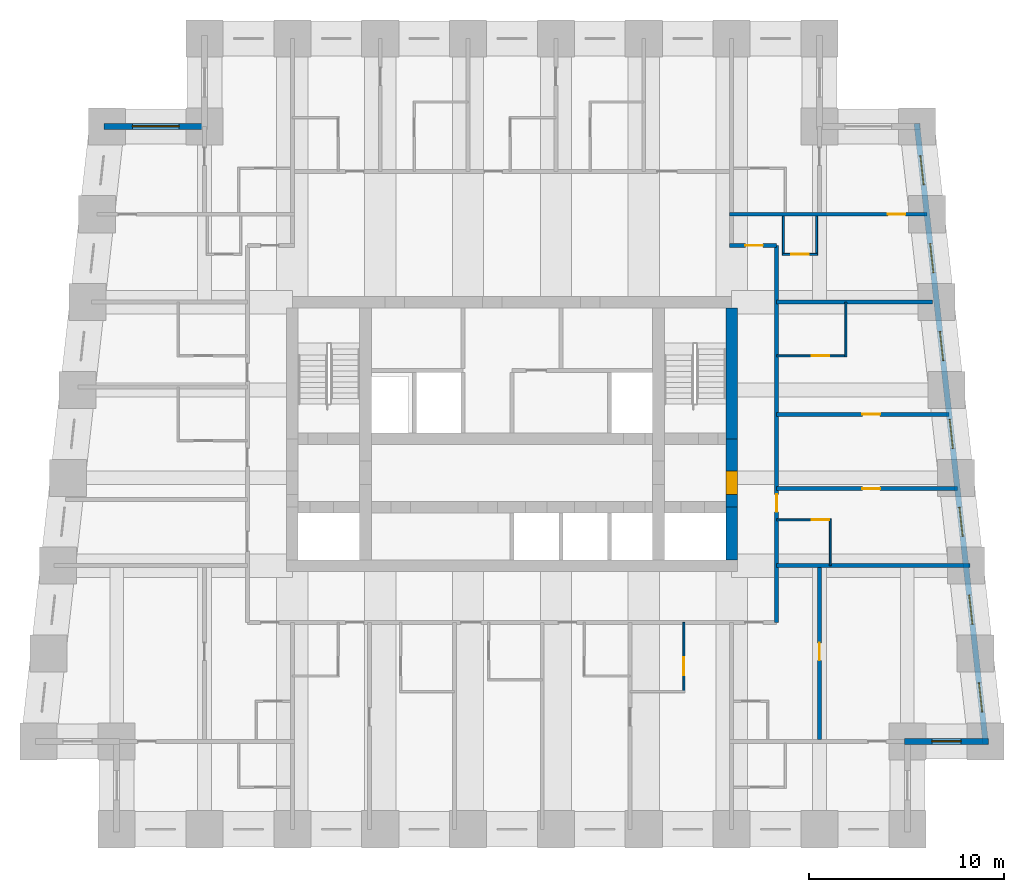
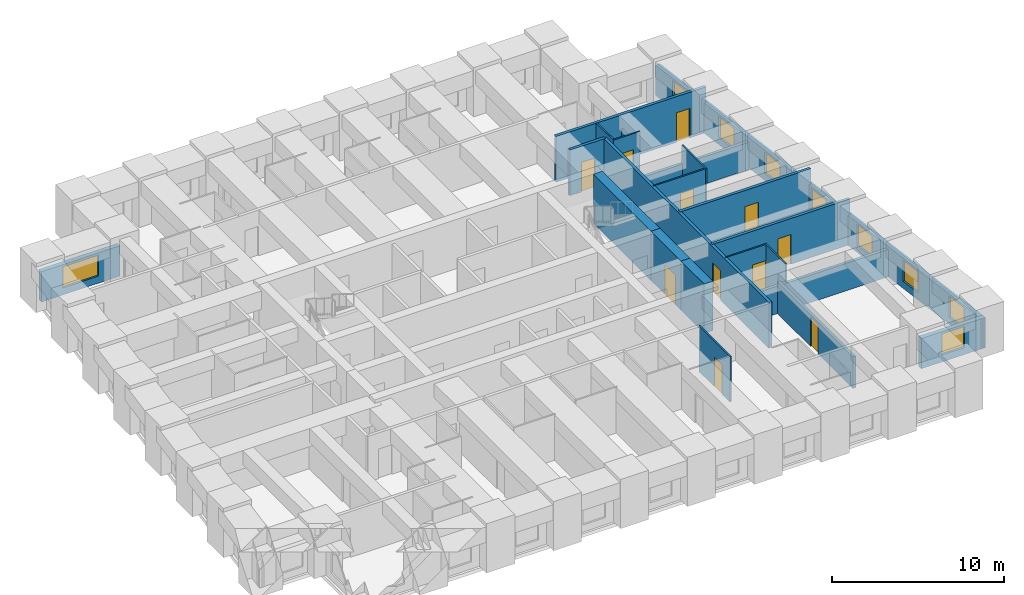
# One storey, part 5 of 8: 22 walls, 11 doors, 9 windows, 20 openings.
"""IFC4 building model written with IfcOpenShell, lengths in metres."""

from ifc_helpers import new_model, si_unit, direction, frame, frame_2d, origin, place, context, subcontext, project, spatial, rectangle, extrude, material, layer, layer_set, type_object, element, fill, save


model = new_model("IFC4")

# Units and contexts
model_context = context("Model", 3, precision=1e-05, world=origin(), true_north=direction((0.0, 1.0)))
body_context = subcontext(model_context, "Body", "Model", "MODEL_VIEW")
ifc_project = project(units=[si_unit("LENGTHUNIT", "METRE"), si_unit("AREAUNIT", "SQUARE_METRE"), si_unit("VOLUMEUNIT", "CUBIC_METRE"), si_unit("PLANEANGLEUNIT", "RADIAN"), si_unit("MASSUNIT", "GRAM", prefix="KILO")], contexts=[model_context])

# Site, building, storey
site_placement = place(None, origin())
site = spatial("IfcSite", under=ifc_project, at=site_placement, CompositionType="ELEMENT")
building_placement = place(site_placement, origin())
building = spatial("IfcBuilding", under=site, at=building_placement, Name="Kilele Tower Hotel", CompositionType="ELEMENT")
storey_placement = place(building_placement, frame((0.0, 0.0, 131.89990234375)))
storey = spatial("IfcBuildingStorey", under=building, at=storey_placement, Name="L34", CompositionType="ELEMENT", Elevation=131.89990234375)

# Wall, opening, door
ifc_material_1 = material(Name="Moisture-resistant board")
ifc_layer_1 = layer(ifc_material_1, 0.10009765625)
ifc_layer_set_1 = layer_set([ifc_layer_1], Name="Moisture-resistant board")
wall_type_1 = type_object("IfcWallType", Name="Bathroom partition 100", PredefinedType="PLUMBINGWALL", material=ifc_layer_set_1)
wall_1_placement = place(storey_placement, frame((33.550048828125, 10.60009765625, 0.0), z_axis=(0.0, 0.0, 1.0), x_axis=(0.0, -1.0, 0.0)))
wall_1 = element("IfcWall", 1, at=wall_1_placement, inside=storey, type_object=wall_type_1, Name="Bathroom partition 100 L34", PredefinedType="PLUMBINGWALL", context=body_context, shape_type="SweptSolid", body=[
    extrude(rectangle(XDim=3.60009765625, YDim=0.10009765625, at=frame_2d((1.800048828125, 0.0))), origin(), (0.0, 0.0, 1.0), 3.25),
])
opening_1_placement = place(wall_1_placement, frame((1.800048828125, 0.0, 0.0)))
opening_1 = element("IfcOpeningElement", 2, at=opening_1_placement, cuts=wall_1, Name="Opening D2A", PredefinedType="OPENING", context=body_context, shape_type="SweptSolid", body=[
    extrude(rectangle(XDim=0.89990234375, YDim=2.10009765625, at=frame_2d((0.449951171875, 1.050048828125))), frame((0.0, 0.06005859375, 0.0), z_axis=(0.0, -1.0, 0.0), x_axis=(1.0, 0.0, 0.0)), (0.0, 0.0, 1.0), 0.1201171875),
])
ifc_material_2 = material(Name="Timber door leaf in hardwood frame", Category="wood")
door_type_1 = type_object("IfcDoorType", Name="Bathroom door 900", OperationType="SINGLE_SWING_LEFT", PredefinedType="DOOR", material=ifc_material_2)
door_1_placement = place(opening_1_placement, origin())
door_1 = element("IfcDoor", 3, at=door_1_placement, inside=storey, type_object=door_type_1, Name="Bathroom door 3405B", OperationType="SINGLE_SWING_RIGHT", OverallHeight=2.10009765625, OverallWidth=0.89990234375, PredefinedType="DOOR", context=body_context, shape_type="SweptSolid", body=[
    extrude(rectangle(XDim=0.89990234375, YDim=2.10009765625, at=frame_2d((0.449951171875, 1.050048828125))), frame((0.0, 0.02490234375, 0.0), z_axis=(0.0, -1.0, 0.0), x_axis=(1.0, 0.0, 0.0)), (0.0, 0.0, 1.0), 0.050048828125),
])
fill(opening_1, door_1)

# Wall
wall_2_placement = place(storey_placement, frame((41.050048828125, 13.5, 0.0), z_axis=(0.0, 0.0, 1.0), x_axis=(0.0, 1.0, 0.0)))
element("IfcWall", 4, at=wall_2_placement, inside=storey, type_object=wall_type_1, Name="Bathroom partition 100 L34", PredefinedType="PLUMBINGWALL", context=body_context, shape_type="SweptSolid", body=[
    extrude(rectangle(XDim=2.39990234375, YDim=0.10009765625, at=frame_2d((1.199951171875, 0.0))), origin(), (0.0, 0.0, 1.0), 3.25),
])

# Wall, opening, door
wall_3_placement = place(storey_placement, frame((38.300048828125, 15.85009765625, 0.0), z_axis=(0.0, 0.0, 1.0), x_axis=(1.0, 0.0, 0.0)))
wall_3 = element("IfcWall", 5, at=wall_3_placement, inside=storey, type_object=wall_type_1, Name="Bathroom partition 100 L34", PredefinedType="PLUMBINGWALL", context=body_context, shape_type="SweptSolid", body=[
    extrude(rectangle(XDim=2.800048828125, YDim=0.10009765625, at=frame_2d((1.39990234375, 0.0))), origin(), (0.0, 0.0, 1.0), 3.25),
])
opening_2_placement = place(wall_3_placement, frame((1.800048828125, 0.0, 0.0)))
opening_2 = element("IfcOpeningElement", 6, at=opening_2_placement, cuts=wall_3, Name="Opening D2A", PredefinedType="OPENING", context=body_context, shape_type="SweptSolid", body=[
    extrude(rectangle(XDim=0.89990234375, YDim=2.10009765625, at=frame_2d((0.449951171875, 1.050048828125))), frame((0.0, 0.06005859375, 0.0), z_axis=(0.0, -1.0, 0.0), x_axis=(1.0, 0.0, 0.0)), (0.0, 0.0, 1.0), 0.1201171875),
])
door_2_placement = place(opening_2_placement, origin())
door_2 = element("IfcDoor", 7, at=door_2_placement, inside=storey, type_object=door_type_1, Name="Bathroom door 3406B", OperationType="SINGLE_SWING_RIGHT", OverallHeight=2.10009765625, OverallWidth=0.89990234375, PredefinedType="DOOR", context=body_context, shape_type="SweptSolid", body=[
    extrude(rectangle(XDim=0.89990234375, YDim=2.10009765625, at=frame_2d((0.449951171875, 1.050048828125))), frame((0.0, 0.02490234375, 0.0), z_axis=(0.0, -1.0, 0.0), x_axis=(1.0, 0.0, 0.0)), (0.0, 0.0, 1.0), 0.050048828125),
])
fill(opening_2, door_2)

# Wall
wall_4_placement = place(storey_placement, frame((41.85009765625, 24.199951171875, 0.0), z_axis=(0.0, 0.0, 1.0), x_axis=(0.0, 1.0, 0.0)))
element("IfcWall", 8, at=wall_4_placement, inside=storey, type_object=wall_type_1, Name="Bathroom partition 100 L34", PredefinedType="PLUMBINGWALL", context=body_context, shape_type="SweptSolid", body=[
    extrude(rectangle(XDim=2.800048828125, YDim=0.10009765625, at=frame_2d((1.39990234375, 0.0))), origin(), (0.0, 0.0, 1.0), 3.25),
])

# Wall, opening, door
wall_5_placement = place(storey_placement, frame((38.300048828125, 24.25, 0.0), z_axis=(0.0, 0.0, 1.0), x_axis=(1.0, 0.0, 0.0)))
wall_5 = element("IfcWall", 9, at=wall_5_placement, inside=storey, type_object=wall_type_1, Name="Bathroom partition 100 L34", PredefinedType="PLUMBINGWALL", context=body_context, shape_type="SweptSolid", body=[
    extrude(rectangle(XDim=3.599853515625, YDim=0.10009765625, at=frame_2d((1.7998046875, 0.0))), origin(), (0.0, 0.0, 1.0), 3.25),
])
opening_3_placement = place(wall_5_placement, frame((2.699951171875, 0.0, 0.0), z_axis=(0.0, 0.0, 1.0), x_axis=(-1.0, 0.0, 0.0)))
opening_3 = element("IfcOpeningElement", 10, at=opening_3_placement, cuts=wall_5, Name="Opening D2A", PredefinedType="OPENING", context=body_context, shape_type="SweptSolid", body=[
    extrude(rectangle(XDim=0.89990234375, YDim=2.10009765625, at=frame_2d((0.449951171875, 1.050048828125))), frame((0.0, 0.06005859375, 0.0), z_axis=(0.0, -1.0, 0.0), x_axis=(1.0, 0.0, 0.0)), (0.0, 0.0, 1.0), 0.1201171875),
])
door_3_placement = place(opening_3_placement, origin())
door_3 = element("IfcDoor", 11, at=door_3_placement, inside=storey, type_object=door_type_1, Name="Bathroom door 3408B", OperationType="SINGLE_SWING_LEFT", OverallHeight=2.10009765625, OverallWidth=0.89990234375, PredefinedType="DOOR", context=body_context, shape_type="SweptSolid", body=[
    extrude(rectangle(XDim=0.89990234375, YDim=2.10009765625, at=frame_2d((0.449951171875, 1.050048828125))), frame((0.0, 0.02490234375, 0.0), z_axis=(0.0, -1.0, 0.0), x_axis=(1.0, 0.0, 0.0)), (0.0, 0.0, 1.0), 0.050048828125),
])
fill(opening_3, door_3)

# Walls
wall_6_placement = place(storey_placement, frame((40.35009765625, 31.39990234375, 0.0), z_axis=(0.0, 0.0, 1.0), x_axis=(0.0, -1.0, 0.0)))
element("IfcWall", 12, at=wall_6_placement, inside=storey, type_object=wall_type_1, Name="Bathroom partition 100 L34", PredefinedType="PLUMBINGWALL", context=body_context, shape_type="SweptSolid", body=[
    extrude(rectangle(XDim=2.0, YDim=0.10009765625, at=frame_2d((1.0, 0.0))), origin(), (0.0, 0.0, 1.0), 2.25),
])
wall_7_placement = place(storey_placement, frame((38.64990234375, 31.39990234375, 0.0), z_axis=(0.0, 0.0, 1.0), x_axis=(0.0, -1.0, 0.0)))
element("IfcWall", 13, at=wall_7_placement, inside=storey, type_object=wall_type_1, Name="Bathroom partition 100 L34", PredefinedType="PLUMBINGWALL", context=body_context, shape_type="SweptSolid", body=[
    extrude(rectangle(XDim=2.0, YDim=0.10009765625, at=frame_2d((1.0, 0.0))), origin(), (0.0, 0.0, 1.0), 3.25),
])

# Wall, opening, door
wall_8_placement = place(storey_placement, frame((38.60009765625, 29.449951171875, 0.0), z_axis=(0.0, 0.0, 1.0), x_axis=(1.0, 0.0, 0.0)))
wall_8 = element("IfcWall", 14, at=wall_8_placement, inside=storey, type_object=wall_type_1, Name="Bathroom partition 100 L34", PredefinedType="PLUMBINGWALL", context=body_context, shape_type="SweptSolid", body=[
    extrude(rectangle(XDim=1.7998046875, YDim=0.10009765625, at=frame_2d((0.89990234375, 0.0))), origin(), (0.0, 0.0, 1.0), 3.25),
])
opening_4_placement = place(wall_8_placement, frame((1.349853515625, 0.0, 0.0), z_axis=(0.0, 0.0, 1.0), x_axis=(-1.0, 0.0, 0.0)))
opening_4 = element("IfcOpeningElement", 15, at=opening_4_placement, cuts=wall_8, Name="Opening D2A", PredefinedType="OPENING", context=body_context, shape_type="SweptSolid", body=[
    extrude(rectangle(XDim=0.89990234375, YDim=2.10009765625, at=frame_2d((0.449951171875, 1.050048828125))), frame((0.0, 0.06005859375, 0.0), z_axis=(0.0, -1.0, 0.0), x_axis=(1.0, 0.0, 0.0)), (0.0, 0.0, 1.0), 0.1201171875),
])
door_4_placement = place(opening_4_placement, origin())
door_4 = element("IfcDoor", 16, at=door_4_placement, inside=storey, type_object=door_type_1, Name="Bathroom door 3423P", OperationType="SINGLE_SWING_RIGHT", OverallHeight=2.10009765625, OverallWidth=0.89990234375, PredefinedType="DOOR", context=body_context, shape_type="SweptSolid", body=[
    extrude(rectangle(XDim=0.89990234375, YDim=2.10009765625, at=frame_2d((0.449951171875, 1.050048828125))), frame((0.0, 0.02490234375, 0.0), z_axis=(0.0, -1.0, 0.0), x_axis=(1.0, 0.0, 0.0)), (0.0, 0.0, 1.0), 0.050048828125),
])
fill(opening_4, door_4)

# Wall
ifc_material_3 = material(Name="Concrete C60/75", Category="concrete")
ifc_layer_2 = layer(ifc_material_3, 0.60009765625)
ifc_layer_set_2 = layer_set([ifc_layer_2], Name="Concrete C60/75")
wall_type_2 = type_object("IfcWallType", Name="Core wall 600 C60/75", PredefinedType="SHEAR", material=ifc_layer_set_2)
wall_9_placement = place(storey_placement, frame((36.0, 13.800048828125, 0.0), z_axis=(0.0, 0.0, 1.0), x_axis=(0.0, 1.0, 0.0)))
element("IfcWall", 17, at=wall_9_placement, inside=storey, type_object=wall_type_2, Name="Core wall E1 L34", PredefinedType="SHEAR", context=body_context, shape_type="SweptSolid", body=[
    extrude(rectangle(XDim=2.699951171875, YDim=0.60009765625, at=frame_2d((1.35009765625, 0.0))), origin(), (0.0, 0.0, 1.0), 3.5),
])

# Wall, opening, door
wall_10_placement = place(storey_placement, frame((36.0, 16.5, 0.0), z_axis=(0.0, 0.0, 1.0), x_axis=(0.0, 1.0, 0.0)))
wall_10 = element("IfcWall", 18, at=wall_10_placement, inside=storey, type_object=wall_type_2, Name="Core wall E2 L34", PredefinedType="SHEAR", context=body_context, shape_type="SweptSolid", body=[
    extrude(rectangle(XDim=3.5, YDim=0.60009765625, at=frame_2d((1.75, 0.0))), origin(), (0.0, 0.0, 1.0), 3.5),
])
opening_5_placement = place(wall_10_placement, frame((0.64990234375, 0.0, 0.0)))
opening_5 = element("IfcOpeningElement", 19, at=opening_5_placement, cuts=wall_10, Name="Opening D4", PredefinedType="OPENING", context=body_context, shape_type="SweptSolid", body=[
    extrude(rectangle(XDim=1.199951171875, YDim=2.10009765625, at=frame_2d((0.60009765625, 1.050048828125))), frame((0.0, 0.31005859375, 0.0), z_axis=(0.0, -1.0, 0.0), x_axis=(1.0, 0.0, 0.0)), (0.0, 0.0, 1.0), 0.6201171875),
])
ifc_material_4 = material(Name="Timber door leaf in hardwood frame", Category="wood")
door_type_2 = type_object("IfcDoorType", Name="Firefighting lobby door 1200", OperationType="SINGLE_SWING_LEFT", PredefinedType="DOOR", material=ifc_material_4)
door_5_placement = place(opening_5_placement, origin())
door_5 = element("IfcDoor", 20, at=door_5_placement, inside=storey, type_object=door_type_2, Name="Lobby door L34", OperationType="SINGLE_SWING_LEFT", OverallHeight=2.10009765625, OverallWidth=1.199951171875, PredefinedType="DOOR", context=body_context, shape_type="SweptSolid", body=[
    extrude(rectangle(XDim=1.199951171875, YDim=2.10009765625, at=frame_2d((0.60009765625, 1.050048828125))), frame((0.0, 0.2998046875, 0.0), z_axis=(0.0, -1.0, 0.0), x_axis=(1.0, 0.0, 0.0)), (0.0, 0.0, 1.0), 0.599609375),
])
fill(opening_5, door_5)

# Wall
wall_11_placement = place(storey_placement, frame((36.0, 20.0, 0.0), z_axis=(0.0, 0.0, 1.0), x_axis=(0.0, 1.0, 0.0)))
element("IfcWall", 21, at=wall_11_placement, inside=storey, type_object=wall_type_2, Name="Core wall E3 L34", PredefinedType="SHEAR", context=body_context, shape_type="SweptSolid", body=[
    extrude(rectangle(XDim=6.699951171875, YDim=0.60009765625, at=frame_2d((3.35009765625, 0.0))), origin(), (0.0, 0.0, 1.0), 3.5),
])

# Wall, opening, door
ifc_material_5 = material(Name="Blockwork, plastered both sides", Category="masonry")
ifc_layer_3 = layer(ifc_material_5, 0.199951171875)
ifc_layer_set_3 = layer_set([ifc_layer_3], Name="Blockwork, plastered both sides")
wall_type_3 = type_object("IfcWallType", Name="Corridor wall 200", PredefinedType="PARTITIONING", material=ifc_layer_set_3)
wall_12_placement = place(storey_placement, frame((35.89990234375, 29.89990234375, 0.0), z_axis=(0.0, 0.0, 1.0), x_axis=(1.0, 0.0, 0.0)))
wall_12 = element("IfcWall", 22, at=wall_12_placement, inside=storey, type_object=wall_type_3, Name="Corridor wall 200 L34", PredefinedType="PARTITIONING", context=body_context, shape_type="SweptSolid", body=[
    extrude(rectangle(XDim=2.400146484375, YDim=0.199951171875, at=frame_2d((1.2001953125, 0.0))), origin(), (0.0, 0.0, 1.0), 3.25),
])
opening_6_placement = place(wall_12_placement, frame((0.800048828125, 0.0, 0.0)))
opening_6 = element("IfcOpeningElement", 23, at=opening_6_placement, cuts=wall_12, Name="Opening D1", PredefinedType="OPENING", context=body_context, shape_type="SweptSolid", body=[
    extrude(rectangle(XDim=0.89990234375, YDim=2.10009765625, at=frame_2d((0.449951171875, 1.050048828125))), frame((0.0, 0.10986328125, 0.0), z_axis=(0.0, -1.0, 0.0), x_axis=(1.0, 0.0, 0.0)), (0.0, 0.0, 1.0), 0.219970703125),
])
ifc_material_6 = material(Name="Timber door leaf in hardwood frame", Category="wood")
door_type_3 = type_object("IfcDoorType", Name="Guest room entrance door 900", OperationType="SINGLE_SWING_LEFT", PredefinedType="DOOR", material=ifc_material_6)
door_6_placement = place(opening_6_placement, origin())
door_6 = element("IfcDoor", 24, at=door_6_placement, inside=storey, type_object=door_type_3, Name="Room entrance 3423", OperationType="SINGLE_SWING_LEFT", OverallHeight=2.10009765625, OverallWidth=0.89990234375, PredefinedType="DOOR", context=body_context, shape_type="SweptSolid", body=[
    extrude(rectangle(XDim=0.89990234375, YDim=2.10009765625, at=frame_2d((0.449951171875, 1.050048828125))), frame((0.0, 0.02490234375, 0.0), z_axis=(0.0, -1.0, 0.0), x_axis=(1.0, 0.0, 0.0)), (0.0, 0.0, 1.0), 0.050048828125),
])
fill(opening_6, door_6)

wall_13_placement = place(storey_placement, frame((38.300048828125, 10.60009765625, 0.0), z_axis=(0.0, 0.0, 1.0), x_axis=(0.0, 1.0, 0.0)))
wall_13 = element("IfcWall", 25, at=wall_13_placement, inside=storey, type_object=wall_type_3, Name="Corridor wall 200 L34", PredefinedType="PARTITIONING", context=body_context, shape_type="SweptSolid", body=[
    extrude(rectangle(XDim=19.2998046875, YDim=0.199951171875, at=frame_2d((9.64990234375, 0.0))), origin(), (0.0, 0.0, 1.0), 3.25),
])
opening_7_placement = place(wall_13_placement, frame((6.5498046875, 0.0, 0.0), z_axis=(0.0, 0.0, 1.0), x_axis=(-1.0, 0.0, 0.0)))
opening_7 = element("IfcOpeningElement", 26, at=opening_7_placement, cuts=wall_13, Name="Opening D1", PredefinedType="OPENING", context=body_context, shape_type="SweptSolid", body=[
    extrude(rectangle(XDim=0.89990234375, YDim=2.10009765625, at=frame_2d((0.449951171875, 1.050048828125))), frame((0.0, 0.10986328125, 0.0), z_axis=(0.0, -1.0, 0.0), x_axis=(1.0, 0.0, 0.0)), (0.0, 0.0, 1.0), 0.219970703125),
])
door_7_placement = place(opening_7_placement, origin())
door_7 = element("IfcDoor", 27, at=door_7_placement, inside=storey, type_object=door_type_3, Name="Room entrance 3406", OperationType="SINGLE_SWING_LEFT", OverallHeight=2.10009765625, OverallWidth=0.89990234375, PredefinedType="DOOR", context=body_context, shape_type="SweptSolid", body=[
    extrude(rectangle(XDim=0.89990234375, YDim=2.10009765625, at=frame_2d((0.449951171875, 1.050048828125))), frame((0.0, 0.02490234375, 0.0), z_axis=(0.0, -1.0, 0.0), x_axis=(1.0, 0.0, 0.0)), (0.0, 0.0, 1.0), 0.050048828125),
])
fill(opening_7, door_7)

ifc_material_7 = material(Name="Blockwork, plastered both sides", Category="masonry")
ifc_layer_4 = layer(ifc_material_7, 0.199951171875)
ifc_layer_set_4 = layer_set([ifc_layer_4], Name="Blockwork, plastered both sides")
wall_type_4 = type_object("IfcWallType", Name="Partition wall 200", PredefinedType="PARTITIONING", material=ifc_layer_set_4)
wall_14_placement = place(storey_placement, frame((40.5, 4.60009765625, 0.0), z_axis=(0.0, 0.0, 1.0), x_axis=(0.0, 1.0, 0.0)))
wall_14 = element("IfcWall", 28, at=wall_14_placement, inside=storey, type_object=wall_type_4, Name="Partition wall 200 L34", PredefinedType="PARTITIONING", context=body_context, shape_type="SweptSolid", body=[
    extrude(rectangle(XDim=8.7998046875, YDim=0.199951171875, at=frame_2d((4.39990234375, 0.0))), origin(), (0.0, 0.0, 1.0), 2.25),
])
opening_8_placement = place(wall_14_placement, frame((4.050048828125, 0.0, 0.0)))
opening_8 = element("IfcOpeningElement", 29, at=opening_8_placement, cuts=wall_14, Name="Opening D3", PredefinedType="OPENING", context=body_context, shape_type="SweptSolid", body=[
    extrude(rectangle(XDim=0.89990234375, YDim=2.10009765625, at=frame_2d((0.449951171875, 1.050048828125))), frame((0.0, 0.10986328125, 0.0), z_axis=(0.0, -1.0, 0.0), x_axis=(1.0, 0.0, 0.0)), (0.0, 0.0, 1.0), 0.219970703125),
])
ifc_material_8 = material(Name="Timber door leaf in hardwood frame", Category="wood")
door_type_4 = type_object("IfcDoorType", Name="Suite internal door 900", OperationType="SINGLE_SWING_LEFT", PredefinedType="DOOR", material=ifc_material_8)
door_8_placement = place(opening_8_placement, origin())
door_8 = element("IfcDoor", 30, at=door_8_placement, inside=storey, type_object=door_type_4, Name="Suite door 3421", OperationType="SINGLE_SWING_RIGHT", OverallHeight=2.10009765625, OverallWidth=0.89990234375, PredefinedType="DOOR", context=body_context, shape_type="SweptSolid", body=[
    extrude(rectangle(XDim=0.89990234375, YDim=2.10009765625, at=frame_2d((0.449951171875, 1.050048828125))), frame((0.0, 0.02490234375, 0.0), z_axis=(0.0, -1.0, 0.0), x_axis=(1.0, 0.0, 0.0)), (0.0, 0.0, 1.0), 0.050048828125),
])
fill(opening_8, door_8)

ifc_material_9 = material(Name="Blockwork, plastered both sides", Category="masonry")
ifc_layer_5 = layer(ifc_material_9, 0.199951171875)
ifc_layer_set_5 = layer_set([ifc_layer_5], Name="Blockwork, plastered both sides")
wall_type_5 = type_object("IfcWallType", Name="Party wall 200", PredefinedType="PARTITIONING", material=ifc_layer_set_5)
wall_15_placement = place(storey_placement, frame((38.300048828125, 17.449951171875, 0.0), z_axis=(0.0, 0.0, 1.0), x_axis=(1.0, 0.0, 0.0)))
wall_15 = element("IfcWall", 31, at=wall_15_placement, inside=storey, type_object=wall_type_5, Name="Party wall 200 L34", PredefinedType="PARTITIONING", context=body_context, shape_type="SweptSolid", body=[
    extrude(rectangle(XDim=9.26025390625, YDim=0.199951171875, at=frame_2d((4.630126953125, 0.0))), origin(), (0.0, 0.0, 1.0), 3.25),
])
opening_9_placement = place(wall_15_placement, frame((4.39990234375, 0.0, 0.0)))
opening_9 = element("IfcOpeningElement", 32, at=opening_9_placement, cuts=wall_15, Name="Opening D3", PredefinedType="OPENING", context=body_context, shape_type="SweptSolid", body=[
    extrude(rectangle(XDim=0.89990234375, YDim=2.10009765625, at=frame_2d((0.449951171875, 1.050048828125))), frame((0.0, 0.10986328125, 0.0), z_axis=(0.0, -1.0, 0.0), x_axis=(1.0, 0.0, 0.0)), (0.0, 0.0, 1.0), 0.219970703125),
])
door_9_placement = place(opening_9_placement, origin())
door_9 = element("IfcDoor", 33, at=door_9_placement, inside=storey, type_object=door_type_4, Name="Suite door 3407", OperationType="SINGLE_SWING_RIGHT", OverallHeight=2.10009765625, OverallWidth=0.89990234375, PredefinedType="DOOR", context=body_context, shape_type="SweptSolid", body=[
    extrude(rectangle(XDim=0.89990234375, YDim=2.10009765625, at=frame_2d((0.449951171875, 1.050048828125))), frame((0.0, 0.02490234375, 0.0), z_axis=(0.0, -1.0, 0.0), x_axis=(1.0, 0.0, 0.0)), (0.0, 0.0, 1.0), 0.050048828125),
])
fill(opening_9, door_9)

wall_16_placement = place(storey_placement, frame((38.300048828125, 21.25, 0.0), z_axis=(0.0, 0.0, 1.0), x_axis=(1.0, 0.0, 0.0)))
wall_16 = element("IfcWall", 34, at=wall_16_placement, inside=storey, type_object=wall_type_5, Name="Party wall 200 L34", PredefinedType="PARTITIONING", context=body_context, shape_type="SweptSolid", body=[
    extrude(rectangle(XDim=8.837890625, YDim=0.199951171875, at=frame_2d((4.4189453125, 0.0))), origin(), (0.0, 0.0, 1.0), 3.25),
])
opening_10_placement = place(wall_16_placement, frame((4.39990234375, 0.0, 0.0)))
opening_10 = element("IfcOpeningElement", 35, at=opening_10_placement, cuts=wall_16, Name="Opening D3", PredefinedType="OPENING", context=body_context, shape_type="SweptSolid", body=[
    extrude(rectangle(XDim=0.89990234375, YDim=2.10009765625, at=frame_2d((0.449951171875, 1.050048828125))), frame((0.0, 0.10986328125, 0.0), z_axis=(0.0, -1.0, 0.0), x_axis=(1.0, 0.0, 0.0)), (0.0, 0.0, 1.0), 0.219970703125),
])
door_10_placement = place(opening_10_placement, origin())
door_10 = element("IfcDoor", 36, at=door_10_placement, inside=storey, type_object=door_type_4, Name="Suite door 3408", OperationType="SINGLE_SWING_RIGHT", OverallHeight=2.10009765625, OverallWidth=0.89990234375, PredefinedType="DOOR", context=body_context, shape_type="SweptSolid", body=[
    extrude(rectangle(XDim=0.89990234375, YDim=2.10009765625, at=frame_2d((0.449951171875, 1.050048828125))), frame((0.0, 0.02490234375, 0.0), z_axis=(0.0, -1.0, 0.0), x_axis=(1.0, 0.0, 0.0)), (0.0, 0.0, 1.0), 0.050048828125),
])
fill(opening_10, door_10)

# Walls
wall_17_placement = place(storey_placement, frame((38.300048828125, 13.5, 0.0), z_axis=(0.0, 0.0, 1.0), x_axis=(1.0, 0.0, 0.0)))
element("IfcWall", 37, at=wall_17_placement, inside=storey, type_object=wall_type_5, Name="Party wall 200 L34", PredefinedType="PARTITIONING", context=body_context, shape_type="SweptSolid", body=[
    extrude(rectangle(XDim=9.921142578125, YDim=0.199951171875, at=frame_2d((4.96044921875, 0.0))), origin(), (0.0, 0.0, 1.0), 1.9501953125),
])
wall_18_placement = place(storey_placement, frame((38.300048828125, 27.0, 0.0), z_axis=(0.0, 0.0, 1.0), x_axis=(1.0, 0.0, 0.0)))
element("IfcWall", 38, at=wall_18_placement, inside=storey, type_object=wall_type_5, Name="Party wall 200 L34", PredefinedType="PARTITIONING", context=body_context, shape_type="SweptSolid", body=[
    extrude(rectangle(XDim=7.976806640625, YDim=0.199951171875, at=frame_2d((3.98828125, 0.0))), origin(), (0.0, 0.0, 1.0), 1.9501953125),
])

# Wall, opening, door
wall_19_placement = place(storey_placement, frame((35.89990234375, 31.5, 0.0), z_axis=(0.0, 0.0, 1.0), x_axis=(1.0, 0.0, 0.0)))
wall_19 = element("IfcWall", 39, at=wall_19_placement, inside=storey, type_object=wall_type_5, Name="Party wall 200 L34", PredefinedType="PARTITIONING", context=body_context, shape_type="SweptSolid", body=[
    extrude(rectangle(XDim=10.09912109375, YDim=0.199951171875, at=frame_2d((5.049560546875, 0.0))), origin(), (0.0, 0.0, 1.0), 3.25),
])
opening_11_placement = place(wall_19_placement, frame((8.09912109375, 0.0, 0.0)))
opening_11 = element("IfcOpeningElement", 40, at=opening_11_placement, cuts=wall_19, Name="Opening D3", PredefinedType="OPENING", context=body_context, shape_type="SweptSolid", body=[
    extrude(rectangle(XDim=0.89990234375, YDim=2.10009765625, at=frame_2d((0.449951171875, 1.050048828125))), frame((0.0, 0.10986328125, 0.0), z_axis=(0.0, -1.0, 0.0), x_axis=(1.0, 0.0, 0.0)), (0.0, 0.0, 1.0), 0.219970703125),
])
door_11_placement = place(opening_11_placement, origin())
door_11 = element("IfcDoor", 41, at=door_11_placement, inside=storey, type_object=door_type_4, Name="Suite door 3424", OperationType="SINGLE_SWING_RIGHT", OverallHeight=2.10009765625, OverallWidth=0.89990234375, PredefinedType="DOOR", context=body_context, shape_type="SweptSolid", body=[
    extrude(rectangle(XDim=0.89990234375, YDim=2.10009765625, at=frame_2d((0.449951171875, 1.050048828125))), frame((0.0, 0.02490234375, 0.0), z_axis=(0.0, -1.0, 0.0), x_axis=(1.0, 0.0, 0.0)), (0.0, 0.0, 1.0), 0.050048828125),
])
fill(opening_11, door_11)

# Wall, opening, window
ifc_material_10 = material(Name="Concrete C40/50 precast", Category="concrete")
ifc_layer_6 = layer(ifc_material_10, 0.260009765625, Name="Precast backing", Category="LoadBearing")
ifc_material_11 = material(Name="Reconstituted stone finish", Category="masonry")
ifc_layer_7 = layer(ifc_material_11, 0.0400390625, Name="Face mix", Category="Finish")
ifc_layer_set_6 = layer_set([ifc_layer_6, ifc_layer_7], Name="Precast concrete C40/50, reconstituted stone finish")
wall_type_6 = type_object("IfcWallType", Name="Precast stone facade wall 300", PredefinedType="STANDARD", material=ifc_layer_set_6)
wall_20_placement = place(storey_placement, frame((44.85009765625, 4.5, 0.0), z_axis=(0.0, 0.0, 1.0), x_axis=(1.0, 0.0, 0.0)))
wall_20 = element("IfcWall", 42, at=wall_20_placement, inside=storey, type_object=wall_type_6, Name="Facade wall L34 edge 5", PredefinedType="STANDARD", context=body_context, shape_type="SweptSolid", body=[
    extrude(rectangle(XDim=4.2998046875, YDim=0.300048828125, at=frame_2d((2.14990234375, 0.0))), origin(), (0.0, 0.0, 1.0), 2.150146484375),
])
opening_12_placement = place(wall_20_placement, frame((1.39990234375, 0.0, 0.5)))
opening_12 = element("IfcOpeningElement", 43, at=opening_12_placement, cuts=wall_20, Name="Opening W2", PredefinedType="OPENING", context=body_context, shape_type="SweptSolid", body=[
    extrude(rectangle(XDim=1.5, YDim=1.5, at=frame_2d((0.75, 0.75))), frame((0.0, 0.159912109375, 0.0), z_axis=(0.0, -1.0, 0.0), x_axis=(1.0, 0.0, 0.0)), (0.0, 0.0, 1.0), 0.320068359375),
])
ifc_material_12 = material(Name="Aluminium frame, clear double glazing", Category="aluminium")
window_type_1 = type_object("IfcWindowType", Name="Window W2 1500 x 1500", PartitioningType="SINGLE_PANEL", PredefinedType="WINDOW", material=ifc_material_12)
window_1_placement = place(opening_12_placement, origin())
window_1 = element("IfcWindow", 44, at=window_1_placement, inside=storey, type_object=window_type_1, Name="Window L34", OverallHeight=1.5, OverallWidth=1.5, PartitioningType="SINGLE_PANEL", PredefinedType="WINDOW", context=body_context, shape_type="SweptSolid", body=[
    extrude(rectangle(XDim=1.5, YDim=1.5, at=frame_2d((0.75, 0.75))), frame((0.0, 0.030029296875, 0.0), z_axis=(0.0, -1.0, 0.0), x_axis=(1.0, 0.0, 0.0)), (0.0, 0.0, 1.0), 0.06005859375),
])
fill(opening_12, window_1)

# Wall, openings, windows
wall_21_placement = place(storey_placement, frame((49.0166015625, 4.350830078125, 0.0), z_axis=(0.0, 0.0, 1.0), x_axis=(-0.110433201132, 0.993883548555, 0.0)))
wall_21 = element("IfcWall", 45, at=wall_21_placement, inside=storey, type_object=wall_type_6, Name="Facade wall L34 edge 6", PredefinedType="STANDARD", context=body_context, shape_type="SweptSolid", body=[
    extrude(rectangle(XDim=31.994140625, YDim=0.300048828125, at=frame_2d((15.9970703125, 0.0))), origin(), (0.0, 0.0, 1.0), 2.150146484375),
])
opening_13_placement = place(wall_21_placement, frame((1.6640625, 0.0, 0.5)))
opening_13 = element("IfcOpeningElement", 46, at=opening_13_placement, cuts=wall_21, Name="Opening W2", PredefinedType="OPENING", context=body_context, shape_type="SweptSolid", body=[
    extrude(rectangle(XDim=1.5, YDim=1.5, at=frame_2d((0.75, 0.75))), frame((0.0, 0.159912109375, 0.0), z_axis=(0.0, -1.0, 0.0), x_axis=(1.0, 0.0, 0.0)), (0.0, 0.0, 1.0), 0.320068359375),
])
opening_14_placement = place(wall_21_placement, frame((6.19189453125, 0.0, 0.5)))
opening_14 = element("IfcOpeningElement", 47, at=opening_14_placement, cuts=wall_21, Name="Opening W2", PredefinedType="OPENING", context=body_context, shape_type="SweptSolid", body=[
    extrude(rectangle(XDim=1.5, YDim=1.5, at=frame_2d((0.75, 0.75))), frame((0.0, 0.159912109375, 0.0), z_axis=(0.0, -1.0, 0.0), x_axis=(1.0, 0.0, 0.0)), (0.0, 0.0, 1.0), 0.320068359375),
])
opening_15_placement = place(wall_21_placement, frame((10.718994140625, 0.0, 0.5)))
opening_15 = element("IfcOpeningElement", 48, at=opening_15_placement, cuts=wall_21, Name="Opening W2", PredefinedType="OPENING", context=body_context, shape_type="SweptSolid", body=[
    extrude(rectangle(XDim=1.5, YDim=1.5, at=frame_2d((0.75, 0.75))), frame((0.0, 0.159912109375, 0.0), z_axis=(0.0, -1.0, 0.0), x_axis=(1.0, 0.0, 0.0)), (0.0, 0.0, 1.0), 0.320068359375),
])
opening_16_placement = place(wall_21_placement, frame((15.2470703125, 0.0, 0.5)))
opening_16 = element("IfcOpeningElement", 49, at=opening_16_placement, cuts=wall_21, Name="Opening W2", PredefinedType="OPENING", context=body_context, shape_type="SweptSolid", body=[
    extrude(rectangle(XDim=1.5, YDim=1.5, at=frame_2d((0.75, 0.75))), frame((0.0, 0.159912109375, 0.0), z_axis=(0.0, -1.0, 0.0), x_axis=(1.0, 0.0, 0.0)), (0.0, 0.0, 1.0), 0.320068359375),
])
opening_17_placement = place(wall_21_placement, frame((19.77490234375, 0.0, 0.5)))
opening_17 = element("IfcOpeningElement", 50, at=opening_17_placement, cuts=wall_21, Name="Opening W2", PredefinedType="OPENING", context=body_context, shape_type="SweptSolid", body=[
    extrude(rectangle(XDim=1.5, YDim=1.5, at=frame_2d((0.75, 0.75))), frame((0.0, 0.159912109375, 0.0), z_axis=(0.0, -1.0, 0.0), x_axis=(1.0, 0.0, 0.0)), (0.0, 0.0, 1.0), 0.320068359375),
])
opening_18_placement = place(wall_21_placement, frame((24.302001953125, 0.0, 0.5)))
opening_18 = element("IfcOpeningElement", 51, at=opening_18_placement, cuts=wall_21, Name="Opening W2", PredefinedType="OPENING", context=body_context, shape_type="SweptSolid", body=[
    extrude(rectangle(XDim=1.5, YDim=1.5, at=frame_2d((0.75, 0.75))), frame((0.0, 0.159912109375, 0.0), z_axis=(0.0, -1.0, 0.0), x_axis=(1.0, 0.0, 0.0)), (0.0, 0.0, 1.0), 0.320068359375),
])
opening_19_placement = place(wall_21_placement, frame((28.830078125, 0.0, 0.5)))
opening_19 = element("IfcOpeningElement", 52, at=opening_19_placement, cuts=wall_21, Name="Opening W2", PredefinedType="OPENING", context=body_context, shape_type="SweptSolid", body=[
    extrude(rectangle(XDim=1.5, YDim=1.5, at=frame_2d((0.75, 0.75))), frame((0.0, 0.159912109375, 0.0), z_axis=(0.0, -1.0, 0.0), x_axis=(1.0, 0.0, 0.0)), (0.0, 0.0, 1.0), 0.320068359375),
])
window_2_placement = place(opening_13_placement, origin())
window_2 = element("IfcWindow", 53, at=window_2_placement, inside=storey, type_object=window_type_1, Name="Window L34", OverallHeight=1.5, OverallWidth=1.5, PartitioningType="SINGLE_PANEL", PredefinedType="WINDOW", context=body_context, shape_type="SweptSolid", body=[
    extrude(rectangle(XDim=1.5, YDim=1.5, at=frame_2d((0.75, 0.75))), frame((0.0, 0.030029296875, 0.0), z_axis=(0.0, -1.0, 0.0), x_axis=(1.0, 0.0, 0.0)), (0.0, 0.0, 1.0), 0.06005859375),
])
fill(opening_13, window_2)
window_3_placement = place(opening_14_placement, origin())
window_3 = element("IfcWindow", 54, at=window_3_placement, inside=storey, type_object=window_type_1, Name="Window L34", OverallHeight=1.5, OverallWidth=1.5, PartitioningType="SINGLE_PANEL", PredefinedType="WINDOW", context=body_context, shape_type="SweptSolid", body=[
    extrude(rectangle(XDim=1.5, YDim=1.5, at=frame_2d((0.75, 0.75))), frame((0.0, 0.030029296875, 0.0), z_axis=(0.0, -1.0, 0.0), x_axis=(1.0, 0.0, 0.0)), (0.0, 0.0, 1.0), 0.06005859375),
])
fill(opening_14, window_3)
window_4_placement = place(opening_15_placement, origin())
window_4 = element("IfcWindow", 55, at=window_4_placement, inside=storey, type_object=window_type_1, Name="Window L34", OverallHeight=1.5, OverallWidth=1.5, PartitioningType="SINGLE_PANEL", PredefinedType="WINDOW", context=body_context, shape_type="SweptSolid", body=[
    extrude(rectangle(XDim=1.5, YDim=1.5, at=frame_2d((0.75, 0.75))), frame((0.0, 0.030029296875, 0.0), z_axis=(0.0, -1.0, 0.0), x_axis=(1.0, 0.0, 0.0)), (0.0, 0.0, 1.0), 0.06005859375),
])
fill(opening_15, window_4)
window_5_placement = place(opening_16_placement, origin())
window_5 = element("IfcWindow", 56, at=window_5_placement, inside=storey, type_object=window_type_1, Name="Window L34", OverallHeight=1.5, OverallWidth=1.5, PartitioningType="SINGLE_PANEL", PredefinedType="WINDOW", context=body_context, shape_type="SweptSolid", body=[
    extrude(rectangle(XDim=1.5, YDim=1.5, at=frame_2d((0.75, 0.75))), frame((0.0, 0.030029296875, 0.0), z_axis=(0.0, -1.0, 0.0), x_axis=(1.0, 0.0, 0.0)), (0.0, 0.0, 1.0), 0.06005859375),
])
fill(opening_16, window_5)
window_6_placement = place(opening_17_placement, origin())
window_6 = element("IfcWindow", 57, at=window_6_placement, inside=storey, type_object=window_type_1, Name="Window L34", OverallHeight=1.5, OverallWidth=1.5, PartitioningType="SINGLE_PANEL", PredefinedType="WINDOW", context=body_context, shape_type="SweptSolid", body=[
    extrude(rectangle(XDim=1.5, YDim=1.5, at=frame_2d((0.75, 0.75))), frame((0.0, 0.030029296875, 0.0), z_axis=(0.0, -1.0, 0.0), x_axis=(1.0, 0.0, 0.0)), (0.0, 0.0, 1.0), 0.06005859375),
])
fill(opening_17, window_6)
window_7_placement = place(opening_18_placement, origin())
window_7 = element("IfcWindow", 58, at=window_7_placement, inside=storey, type_object=window_type_1, Name="Window L34", OverallHeight=1.5, OverallWidth=1.5, PartitioningType="SINGLE_PANEL", PredefinedType="WINDOW", context=body_context, shape_type="SweptSolid", body=[
    extrude(rectangle(XDim=1.5, YDim=1.5, at=frame_2d((0.75, 0.75))), frame((0.0, 0.030029296875, 0.0), z_axis=(0.0, -1.0, 0.0), x_axis=(1.0, 0.0, 0.0)), (0.0, 0.0, 1.0), 0.06005859375),
])
fill(opening_18, window_7)
window_8_placement = place(opening_19_placement, origin())
window_8 = element("IfcWindow", 59, at=window_8_placement, inside=storey, type_object=window_type_1, Name="Window L34", OverallHeight=1.5, OverallWidth=1.5, PartitioningType="SINGLE_PANEL", PredefinedType="WINDOW", context=body_context, shape_type="SweptSolid", body=[
    extrude(rectangle(XDim=1.5, YDim=1.5, at=frame_2d((0.75, 0.75))), frame((0.0, 0.030029296875, 0.0), z_axis=(0.0, -1.0, 0.0), x_axis=(1.0, 0.0, 0.0)), (0.0, 0.0, 1.0), 0.06005859375),
])
fill(opening_19, window_8)

# Wall, opening, window
wall_22_placement = place(storey_placement, frame((9.14990234375, 36.0, 0.0), z_axis=(0.0, 0.0, 1.0), x_axis=(-1.0, 0.0, 0.0)))
wall_22 = element("IfcWall", 60, at=wall_22_placement, inside=storey, type_object=wall_type_6, Name="Facade wall L34 edge 11", PredefinedType="STANDARD", context=body_context, shape_type="SweptSolid", body=[
    extrude(rectangle(XDim=5.2998046875, YDim=0.300048828125, at=frame_2d((2.64990234375, 0.0))), origin(), (0.0, 0.0, 1.0), 2.150146484375),
])
opening_20_placement = place(wall_22_placement, frame((1.449951171875, 0.0, 0.5)))
opening_20 = element("IfcOpeningElement", 61, at=opening_20_placement, cuts=wall_22, Name="Opening W2", PredefinedType="OPENING", context=body_context, shape_type="SweptSolid", body=[
    extrude(rectangle(XDim=2.39990234375, YDim=1.5, at=frame_2d((1.199951171875, 0.75))), frame((0.0, 0.159912109375, 0.0), z_axis=(0.0, -1.0, 0.0), x_axis=(1.0, 0.0, 0.0)), (0.0, 0.0, 1.0), 0.320068359375),
])
ifc_material_13 = material(Name="Aluminium frame, clear double glazing", Category="aluminium")
window_type_2 = type_object("IfcWindowType", Name="Window W2 2400 x 1500", PartitioningType="SINGLE_PANEL", PredefinedType="WINDOW", material=ifc_material_13)
window_9_placement = place(opening_20_placement, origin())
window_9 = element("IfcWindow", 62, at=window_9_placement, inside=storey, type_object=window_type_2, Name="Window L34", OverallHeight=1.5, OverallWidth=2.39990234375, PartitioningType="SINGLE_PANEL", PredefinedType="WINDOW", context=body_context, shape_type="SweptSolid", body=[
    extrude(rectangle(XDim=2.39990234375, YDim=1.5, at=frame_2d((1.199951171875, 0.75))), frame((0.0, 0.030029296875, 0.0), z_axis=(0.0, -1.0, 0.0), x_axis=(1.0, 0.0, 0.0)), (0.0, 0.0, 1.0), 0.06005859375),
])
fill(opening_20, window_9)

save(model, "model.ifc")
